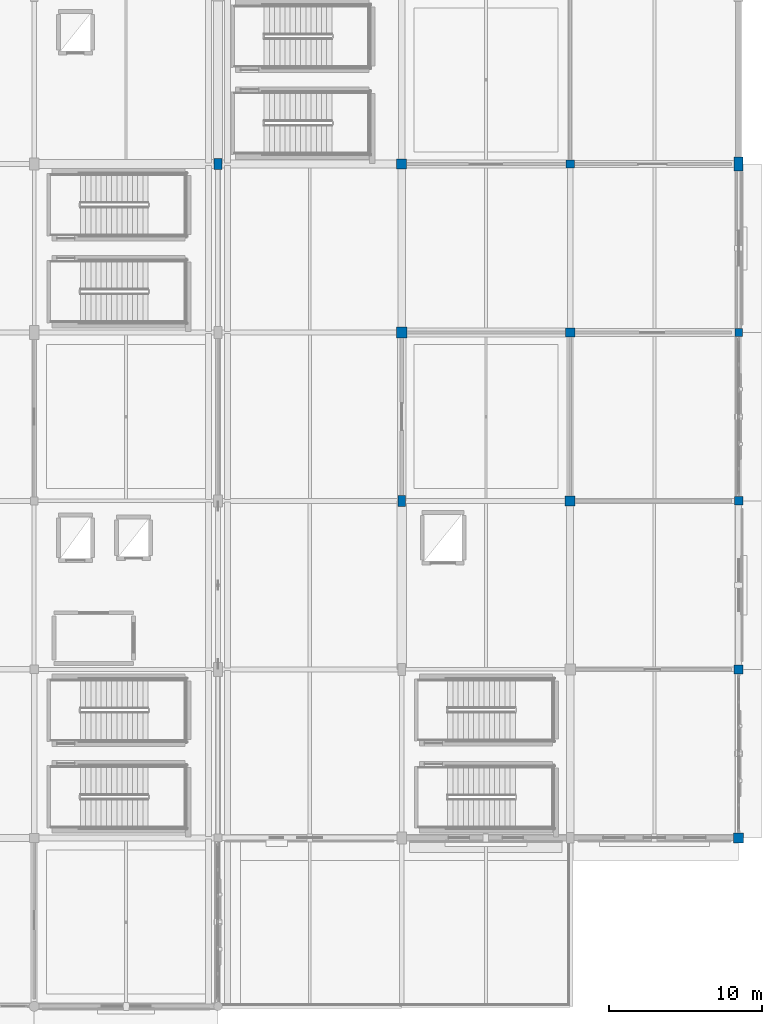
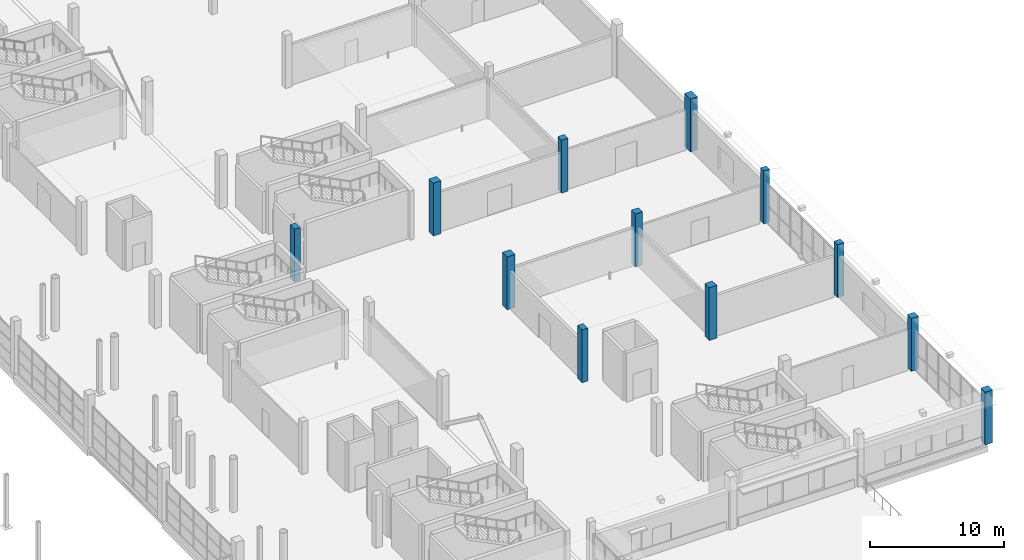
# One storey, part 17 of 143: 12 columns.
"""IFC4 building model written with IfcOpenShell, lengths in metres."""

from ifc_helpers import new_model, si_unit, direction, frame, origin, origin_2d, place, context, subcontext, project, spatial, rectangle, extrude, material, material_profile, profile_set, type_object, element, save


model = new_model("IFC4")

# Units and contexts
model_context = context("Model", 3, precision=1e-05, world=origin(), true_north=direction((0.0, 1.0)))
body_context = subcontext(model_context, "Body", "Model", "MODEL_VIEW")
ifc_project = project(units=[si_unit("LENGTHUNIT", "METRE"), si_unit("AREAUNIT", "SQUARE_METRE"), si_unit("VOLUMEUNIT", "CUBIC_METRE"), si_unit("PLANEANGLEUNIT", "RADIAN"), si_unit("MASSUNIT", "GRAM", prefix="KILO")], contexts=[model_context])

# Site, building, storey
site_placement = place(None, origin())
site = spatial("IfcSite", under=ifc_project, at=site_placement, CompositionType="ELEMENT")
building_placement = place(site_placement, origin())
building = spatial("IfcBuilding", under=site, at=building_placement, Name="Luwafu Chhajja Arena", CompositionType="ELEMENT")
storey_placement = place(building_placement, frame((0.0, 0.0, 5.39990234375)))
storey = spatial("IfcBuildingStorey", under=building, at=storey_placement, Name="L01", CompositionType="ELEMENT", Elevation=5.39990234375)

# Columns
ifc_material_1 = material(Name="Concrete C35/45", Category="concrete")
ifc_material_profile_1 = material_profile(ifc_material_1, rectangle(XDim=0.550048828125, YDim=0.550048828125, at=origin_2d()), Name="RC 550x550")
ifc_profile_set_1 = profile_set([ifc_material_profile_1], Name="Concrete C35/45")
column_type_1 = type_object("IfcColumnType", Name="Gallery Column RC 550", PredefinedType="COLUMN", material=ifc_profile_set_1)
for number, where, z_axis, x_axis, name in (
    (1, (187.0, 55.0, 0.0), (0.0, 0.0, 1.0), (1.0, 0.0, 0.0), "L01 Grid Column 17/F"),
    (2, (198.0, 33.0, 0.0), (0.0, 0.0, 1.0), (1.0, 0.0, 0.0), "L01 Grid Column 18/D"),
):
    element("IfcColumn", number, at=place(storey_placement, frame(where, z_axis=z_axis, x_axis=x_axis)), inside=storey, type_object=column_type_1, Name=name, PredefinedType="COLUMN", context=body_context, shape_type="SweptSolid", body=[
        extrude(rectangle(XDim=0.550048828125, YDim=0.550048828125, at=origin_2d()), origin(), (0.0, 0.0, 1.0), 4.800048828125),
    ])
ifc_material_profile_2 = material_profile(ifc_material_1, rectangle(XDim=0.60009765625, YDim=0.60009765625, at=origin_2d()), Name="RC 600x600")
ifc_profile_set_2 = profile_set([ifc_material_profile_2], Name="Concrete C35/45")
column_type_2 = type_object("IfcColumnType", Name="Mezzanine Column RC 600", PredefinedType="COLUMN", material=ifc_profile_set_2)
for number, where, z_axis, x_axis, name in (
    (3, (187.0, 44.0, 0.0), (0.0, 0.0, 1.0), (1.0, 0.0, 0.0), "L01 Grid Column 17/E"),
    (4, (198.0, 22.0, 0.0), (0.0, 0.0, 1.0), (1.0, 0.0, 0.0), "L01 Grid Column 18/C"),
):
    element("IfcColumn", number, at=place(storey_placement, frame(where, z_axis=z_axis, x_axis=x_axis)), inside=storey, type_object=column_type_2, Name=name, PredefinedType="COLUMN", context=body_context, shape_type="SweptSolid", body=[
        extrude(rectangle(XDim=0.60009765625, YDim=0.60009765625, at=origin_2d()), origin(), (0.0, 0.0, 1.0), 4.800048828125),
    ])
ifc_material_profile_3 = material_profile(ifc_material_1, rectangle(XDim=0.5, YDim=0.5, at=origin_2d()), Name="RC 500x500")
ifc_profile_set_3 = profile_set([ifc_material_profile_3], Name="Concrete C35/45")
column_type_3 = type_object("IfcColumnType", Name="Pavilion Column RC 500", PredefinedType="COLUMN", material=ifc_profile_set_3)
column_1_placement = place(storey_placement, frame((198.0, 44.0, 0.0), z_axis=(0.0, 0.0, 1.0), x_axis=(1.0, 0.0, 0.0)))
element("IfcColumn", 5, at=column_1_placement, inside=storey, type_object=column_type_3, Name="L01 Grid Column 18/E", PredefinedType="COLUMN", context=body_context, shape_type="SweptSolid", body=[
    extrude(rectangle(XDim=0.5, YDim=0.5, at=origin_2d()), origin(), (0.0, 0.0, 1.0), 4.800048828125),
])
ifc_material_profile_4 = material_profile(ifc_material_1, rectangle(XDim=0.5, YDim=0.699951171875, at=origin_2d()), Name="RC 500x700")
ifc_profile_set_4 = profile_set([ifc_material_profile_4], Name="Concrete C35/45")
column_type_4 = type_object("IfcColumnType", Name="Perimeter Pilaster Column RC 500x700", PredefinedType="COLUMN", material=ifc_profile_set_4)
for number, where, z_axis, x_axis, name in (
    (6, (164.0, 55.0, 0.0), (0.0, 0.0, 1.0), (1.0, 0.0, 0.0), "L01 Grid Column 15/F"),
    (7, (176.0, 33.0, 0.0), (0.0, 0.0, 1.0), (1.0, 0.0, 0.0), "L01 Grid Column 16/D"),
):
    element("IfcColumn", number, at=place(storey_placement, frame(where, z_axis=z_axis, x_axis=x_axis)), inside=storey, type_object=column_type_4, Name=name, PredefinedType="COLUMN", context=body_context, shape_type="SweptSolid", body=[
        extrude(rectangle(XDim=0.5, YDim=0.699951171875, at=origin_2d()), origin(), (0.0, 0.0, 1.0), 4.800048828125),
    ])
ifc_material_profile_5 = material_profile(ifc_material_1, rectangle(XDim=0.64990234375, YDim=0.64990234375, at=origin_2d()), Name="RC 650x650")
ifc_profile_set_5 = profile_set([ifc_material_profile_5], Name="Concrete C35/45")
column_type_5 = type_object("IfcColumnType", Name="Upper Wing Column RC 650", PredefinedType="COLUMN", material=ifc_profile_set_5)
for number, where, z_axis, x_axis, name in (
    (8, (176.0, 55.0, 0.0), (0.0, 0.0, 1.0), (1.0, 0.0, 0.0), "L01 Grid Column 16/F"),
    (9, (187.0, 33.0, 0.0), (0.0, 0.0, 1.0), (1.0, 0.0, 0.0), "L01 Grid Column 17/D"),
    (10, (198.0, 11.0, 0.0), (0.0, 0.0, 1.0), (1.0, 0.0, 0.0), "L01 Grid Column 18/B"),
):
    element("IfcColumn", number, at=place(storey_placement, frame(where, z_axis=z_axis, x_axis=x_axis)), inside=storey, type_object=column_type_5, Name=name, PredefinedType="COLUMN", context=body_context, shape_type="SweptSolid", body=[
        extrude(rectangle(XDim=0.64990234375, YDim=0.64990234375, at=origin_2d()), origin(), (0.0, 0.0, 1.0), 4.800048828125),
    ])
ifc_material_2 = material(Name="Concrete C40/50", Category="concrete")
ifc_material_profile_6 = material_profile(ifc_material_2, rectangle(XDim=0.60009765625, YDim=0.89990234375, at=origin_2d()), Name="RC 600x900")
ifc_profile_set_6 = profile_set([ifc_material_profile_6], Name="Concrete C40/50")
column_type_6 = type_object("IfcColumnType", Name="Warm-Up Hall Portal Column RC 600x900", PredefinedType="COLUMN", material=ifc_profile_set_6)
column_2_placement = place(storey_placement, frame((198.0, 55.0, 0.0), z_axis=(0.0, 0.0, 1.0), x_axis=(1.0, 0.0, 0.0)))
element("IfcColumn", 11, at=column_2_placement, inside=storey, type_object=column_type_6, Name="L01 Grid Column 18/F", PredefinedType="COLUMN", context=body_context, shape_type="SweptSolid", body=[
    extrude(rectangle(XDim=0.60009765625, YDim=0.89990234375, at=origin_2d()), origin(), (0.0, 0.0, 1.0), 4.800048828125),
])
ifc_material_profile_7 = material_profile(ifc_material_1, rectangle(XDim=0.699951171875, YDim=0.699951171875, at=origin_2d()), Name="RC 700x700")
ifc_profile_set_7 = profile_set([ifc_material_profile_7], Name="Concrete C35/45")
column_type_7 = type_object("IfcColumnType", Name="Wing Frame Column RC 700", PredefinedType="COLUMN", material=ifc_profile_set_7)
column_3_placement = place(storey_placement, frame((176.0, 44.0, 0.0), z_axis=(0.0, 0.0, 1.0), x_axis=(1.0, 0.0, 0.0)))
element("IfcColumn", 12, at=column_3_placement, inside=storey, type_object=column_type_7, Name="L01 Grid Column 16/E", PredefinedType="COLUMN", context=body_context, shape_type="SweptSolid", body=[
    extrude(rectangle(XDim=0.699951171875, YDim=0.699951171875, at=origin_2d()), origin(), (0.0, 0.0, 1.0), 4.800048828125),
])

save(model, "model.ifc")
